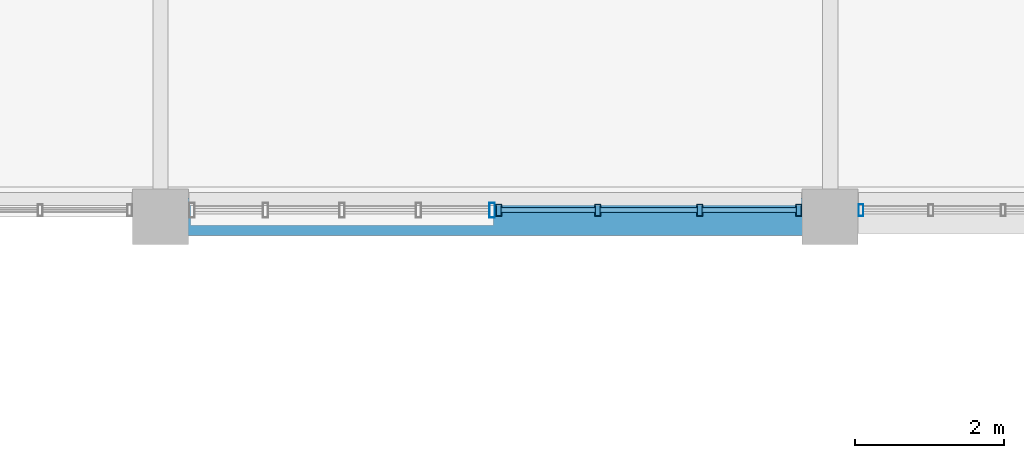
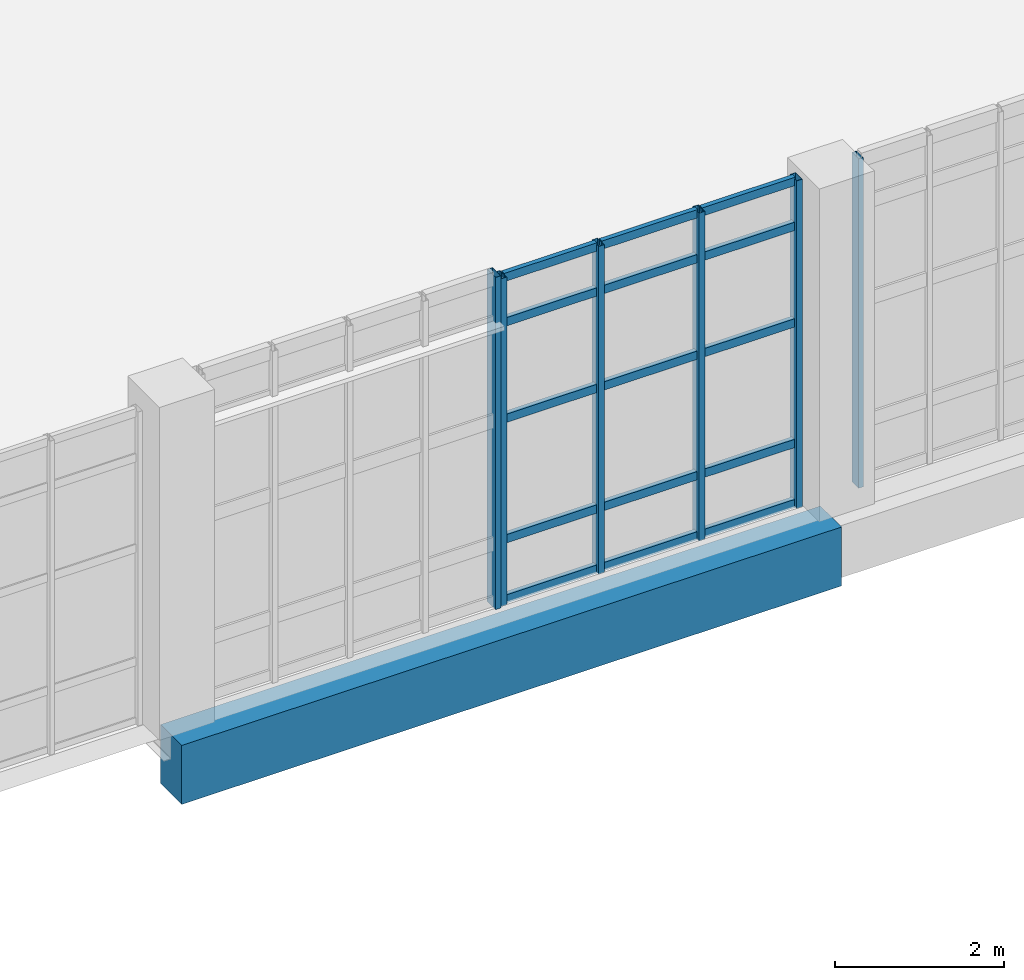
# One storey, part 58 of 127: 21 members, 1 beam, 3 elements without a shape of their own.
"""IFC4 building model written with IfcOpenShell, lengths in metres."""

from ifc_helpers import new_model, si_unit, derived_unit, direction, frame, origin, origin_2d, place, context, subcontext, project, spatial, rectangle, hollow_rectangle, extrude, material, layer, layer_set, material_profile, profile_set, type_object, element, aggregate, save


model = new_model("IFC4")

# Units and contexts
model_context = context("Model", 3, precision=1e-05, world=origin(), true_north=direction((0.0, 1.0)))
body_context = subcontext(model_context, "Body", "Model", "MODEL_VIEW")
ifc_project = project(units=[si_unit("LENGTHUNIT", "METRE"), si_unit("AREAUNIT", "SQUARE_METRE"), si_unit("VOLUMEUNIT", "CUBIC_METRE"), si_unit("PLANEANGLEUNIT", "RADIAN"), si_unit("MASSUNIT", "GRAM", prefix="KILO"), derived_unit("THERMALTRANSMITTANCEUNIT", [(si_unit("POWERUNIT", "WATT"), 1), (si_unit("LENGTHUNIT", "METRE"), -2), (si_unit("THERMODYNAMICTEMPERATUREUNIT", "KELVIN"), -1)])], contexts=[model_context])

# Site, building, storey
site_placement = place(None, origin())
site = spatial("IfcSite", under=ifc_project, at=site_placement, CompositionType="ELEMENT")
building_placement = place(site_placement, origin())
building = spatial("IfcBuilding", under=site, at=building_placement, Name="Nallur Shell Playhouse", CompositionType="ELEMENT")
storey_placement = place(building_placement, frame((0.0, 0.0, 5.39990234375)))
storey = spatial("IfcBuildingStorey", under=building, at=storey_placement, Name="L02", CompositionType="ELEMENT", Elevation=5.39990234375)

# Beam
ifc_material_1 = material(Name="Concrete M40", Category="concrete")
ifc_material_profile_1 = material_profile(ifc_material_1, rectangle(XDim=0.5, YDim=0.85009765625, at=origin_2d()), Name="RC 500x850")
ifc_profile_set_1 = profile_set([ifc_material_profile_1], Name="Concrete M40")
beam_type = type_object("IfcBeamType", Name="BM-RC-500x850", PredefinedType="BEAM", material=ifc_profile_set_1)
beam_placement = place(storey_placement, frame((126.39990234375, 24.0, -0.704833984375), z_axis=(1.0, 0.0, 0.0), x_axis=(0.0, 1.0, 0.0)))
element("IfcBeam", 1, at=beam_placement, inside=storey, type_object=beam_type, Name="L02 girder X-C-333", PredefinedType="BEAM", context=body_context, shape_type="SweptSolid", body=[
    extrude(rectangle(XDim=0.5, YDim=0.85009765625, at=origin_2d()), origin(), (0.0, 0.0, 1.0), 9.0),
])

# Curtain wall, members
ifc_material_2 = material(Name="Anodised Aluminium Double-Glazed Facade System", Category="aluminium")
ifc_layer_1 = layer(ifc_material_2, 0.172119140625)
ifc_layer_set_1 = layer_set([ifc_layer_1], Name="Anodised Aluminium Double-Glazed Facade System")
curtain_wall_type_1 = type_object("IfcCurtainWallType", Name="CW-UNIT-15", PredefinedType="NOTDEFINED", material=ifc_layer_set_1)
curtain_wall_1_placement = place(storey_placement, origin())
curtain_wall_1 = element("IfcCurtainWall", 2, at=curtain_wall_1_placement, inside=storey, type_object=curtain_wall_type_1, Name="Unitised curtain wall CW-047 (L02)", PredefinedType="NOTDEFINED")
ifc_material_3 = material(Name="Aluminium Alloy 6063-T6 Mullion", Category="aluminium")
ifc_material_profile_2 = material_profile(ifc_material_3, hollow_rectangle(XDim=0.080078125, YDim=0.159912109375, WallThickness=0.006103515625, at=origin_2d()), Name="RHS 160x80x6")
ifc_profile_set_2 = profile_set([ifc_material_profile_2], Name="Aluminium Alloy 6063-T6 Mullion")
member_type_1 = type_object("IfcMemberType", Name="MB-CW-MUL150", PredefinedType="MULLION", material=ifc_profile_set_2)
member_1_placement = place(storey_placement, frame((134.97705078125, 24.090087890625, -0.014892578125), z_axis=(0.0, 0.0, 1.0), x_axis=(-1.0, 0.0, 0.0)))
member_1 = element("IfcMember", 3, at=member_1_placement, type_object=member_type_1, Name="CW-15 mullion 1", PredefinedType="MULLION", context=body_context, shape_type="SweptSolid", body=[
    extrude(hollow_rectangle(XDim=0.080078125, YDim=0.159912109375, WallThickness=0.006103515625, at=origin_2d()), origin(), (0.0, 0.0, 1.0), 4.72900390625),
])
member_2_placement = place(storey_placement, frame((133.646240234375, 24.090087890625, -0.014892578125), z_axis=(0.0, 0.0, 1.0), x_axis=(-1.0, 0.0, 0.0)))
member_2 = element("IfcMember", 4, at=member_2_placement, type_object=member_type_1, Name="CW-15 mullion 2", PredefinedType="MULLION", context=body_context, shape_type="SweptSolid", body=[
    extrude(hollow_rectangle(XDim=0.080078125, YDim=0.159912109375, WallThickness=0.006103515625, at=origin_2d()), origin(), (0.0, 0.0, 1.0), 4.72900390625),
])
member_3_placement = place(storey_placement, frame((132.275634765625, 24.090087890625, -0.014892578125), z_axis=(0.0, 0.0, 1.0), x_axis=(-1.0, 0.0, 0.0)))
member_3 = element("IfcMember", 5, at=member_3_placement, type_object=member_type_1, Name="CW-15 mullion 3", PredefinedType="MULLION", context=body_context, shape_type="SweptSolid", body=[
    extrude(hollow_rectangle(XDim=0.080078125, YDim=0.159912109375, WallThickness=0.006103515625, at=origin_2d()), origin(), (0.0, 0.0, 1.0), 4.72900390625),
])
member_4_placement = place(storey_placement, frame((130.945068359375, 24.090087890625, -0.014892578125), z_axis=(0.0, 0.0, 1.0), x_axis=(-1.0, 0.0, 0.0)))
member_4 = element("IfcMember", 6, at=member_4_placement, type_object=member_type_1, Name="CW-15 mullion 4", PredefinedType="MULLION", context=body_context, shape_type="SweptSolid", body=[
    extrude(hollow_rectangle(XDim=0.080078125, YDim=0.159912109375, WallThickness=0.006103515625, at=origin_2d()), origin(), (0.0, 0.0, 1.0), 4.72900390625),
])

# Curtain wall, member
ifc_layer_2 = layer(ifc_material_2, 0.16796875)
ifc_layer_set_2 = layer_set([ifc_layer_2], Name="Anodised Aluminium Double-Glazed Facade System")
curtain_wall_type_2 = type_object("IfcCurtainWallType", Name="CW-UNIT-14", PredefinedType="NOTDEFINED", material=ifc_layer_set_2)
curtain_wall_2_placement = place(storey_placement, origin())
curtain_wall_2 = element("IfcCurtainWall", 7, at=curtain_wall_2_placement, inside=storey, type_object=curtain_wall_type_2, Name="Unitised curtain wall CW-046 (L02)", PredefinedType="NOTDEFINED")
ifc_material_profile_3 = material_profile(ifc_material_3, hollow_rectangle(XDim=0.06494140625, YDim=0.159912109375, WallThickness=0.00390625, at=origin_2d()), Name="ALU 65x160x4")
ifc_profile_set_3 = profile_set([ifc_material_profile_3], Name="Aluminium Alloy 6063-T6 Mullion")
member_type_2 = type_object("IfcMemberType", Name="MB-CW-MUL160", PredefinedType="MULLION", material=ifc_profile_set_3)
member_5_placement = place(storey_placement, frame((135.8154296875, 24.090087890625, -0.014892578125), z_axis=(0.0, 0.0, 1.0), x_axis=(-1.0, 0.0, 0.0)))
member_5 = element("IfcMember", 8, at=member_5_placement, type_object=member_type_2, Name="CW-14 mullion 4", PredefinedType="MULLION", context=body_context, shape_type="SweptSolid", body=[
    extrude(hollow_rectangle(XDim=0.06494140625, YDim=0.159912109375, WallThickness=0.00390625, at=origin_2d()), origin(), (0.0, 0.0, 1.0), 4.7490234375),
])
aggregate(curtain_wall_2, [member_5])

ifc_layer_3 = layer(ifc_material_2, 0.176025390625)
ifc_layer_set_3 = layer_set([ifc_layer_3], Name="Anodised Aluminium Double-Glazed Facade System")
curtain_wall_type_3 = type_object("IfcCurtainWallType", Name="CW-UNIT-16", PredefinedType="NOTDEFINED", material=ifc_layer_set_3)
curtain_wall_3_placement = place(storey_placement, origin())
curtain_wall_3 = element("IfcCurtainWall", 9, at=curtain_wall_3_placement, inside=storey, type_object=curtain_wall_type_3, Name="Unitised curtain wall CW-048 (L02)", PredefinedType="NOTDEFINED")
ifc_material_profile_4 = material_profile(ifc_material_3, hollow_rectangle(XDim=0.074951171875, YDim=0.199951171875, WallThickness=0.0048828125, at=origin_2d()), Name="ALU 75x200x5")
ifc_profile_set_4 = profile_set([ifc_material_profile_4], Name="Aluminium Alloy 6063-T6 Mullion")
member_type_3 = type_object("IfcMemberType", Name="MB-CW-MUL180", PredefinedType="MULLION", material=ifc_profile_set_4)
member_6_placement = place(storey_placement, frame((130.857421875, 24.090087890625, -0.014892578125), z_axis=(0.0, 0.0, 1.0), x_axis=(-1.0, 0.0, 0.0)))
member_6 = element("IfcMember", 10, at=member_6_placement, type_object=member_type_3, Name="CW-16 mullion 1", PredefinedType="MULLION", context=body_context, shape_type="SweptSolid", body=[
    extrude(hollow_rectangle(XDim=0.074951171875, YDim=0.199951171875, WallThickness=0.0048828125, at=origin_2d()), origin(), (0.0, 0.0, 1.0), 4.7890625),
])
aggregate(curtain_wall_3, [member_6])

# Member
ifc_material_4 = material(Name="Aluminium Alloy 6063-T6 Transom", Category="aluminium")
ifc_material_profile_5 = material_profile(ifc_material_4, hollow_rectangle(XDim=0.06494140625, YDim=0.1201171875, WallThickness=0.00390625, at=origin_2d()), Name="ALU 65x120x4")
ifc_profile_set_5 = profile_set([ifc_material_profile_5], Name="Aluminium Alloy 6063-T6 Transom")
member_type_4 = type_object("IfcMemberType", Name="MB-CW-TRN120", PredefinedType="USERDEFINED", material=ifc_profile_set_5)
member_7_placement = place(storey_placement, frame((134.945068359375, 24.090087890625, 0.03271484375), z_axis=(-1.0, 0.0, 0.0), x_axis=(0.0, -1.0, 0.0)))
member_7 = element("IfcMember", 11, at=member_7_placement, type_object=member_type_4, Name="CW-15 transom 1.1", ObjectType="TRANSOM", PredefinedType="USERDEFINED", context=body_context, shape_type="SweptSolid", body=[
    extrude(hollow_rectangle(XDim=0.06494140625, YDim=0.1201171875, WallThickness=0.00390625, at=origin_2d()), origin(), (0.0, 0.0, 1.0), 1.266845703125),
])

member_8_placement = place(storey_placement, frame((134.945068359375, 24.090087890625, 0.900146484375), z_axis=(-1.0, 0.0, 0.0), x_axis=(0.0, -1.0, 0.0)))
member_8 = element("IfcMember", 12, at=member_8_placement, type_object=member_type_4, Name="CW-15 transom 1.2", ObjectType="TRANSOM", PredefinedType="USERDEFINED", context=body_context, shape_type="SweptSolid", body=[
    extrude(hollow_rectangle(XDim=0.06494140625, YDim=0.1201171875, WallThickness=0.00390625, at=origin_2d()), origin(), (0.0, 0.0, 1.0), 1.266845703125),
])

member_9_placement = place(storey_placement, frame((134.945068359375, 24.090087890625, 2.63818359375), z_axis=(-1.0, 0.0, 0.0), x_axis=(0.0, -1.0, 0.0)))
member_9 = element("IfcMember", 13, at=member_9_placement, type_object=member_type_4, Name="CW-15 transom 1.3", ObjectType="TRANSOM", PredefinedType="USERDEFINED", context=body_context, shape_type="SweptSolid", body=[
    extrude(hollow_rectangle(XDim=0.06494140625, YDim=0.1201171875, WallThickness=0.00390625, at=origin_2d()), origin(), (0.0, 0.0, 1.0), 1.266845703125),
])

member_10_placement = place(storey_placement, frame((134.945068359375, 24.090087890625, 4.030029296875), z_axis=(-1.0, 0.0, 0.0), x_axis=(0.0, -1.0, 0.0)))
member_10 = element("IfcMember", 14, at=member_10_placement, type_object=member_type_4, Name="CW-15 transom 1.4", ObjectType="TRANSOM", PredefinedType="USERDEFINED", context=body_context, shape_type="SweptSolid", body=[
    extrude(hollow_rectangle(XDim=0.06494140625, YDim=0.1201171875, WallThickness=0.00390625, at=origin_2d()), origin(), (0.0, 0.0, 1.0), 1.266845703125),
])

member_11_placement = place(storey_placement, frame((134.945068359375, 24.090087890625, 4.677490234375), z_axis=(-1.0, 0.0, 0.0), x_axis=(0.0, -1.0, 0.0)))
member_11 = element("IfcMember", 15, at=member_11_placement, type_object=member_type_4, Name="CW-15 transom 1.5", ObjectType="TRANSOM", PredefinedType="USERDEFINED", context=body_context, shape_type="SweptSolid", body=[
    extrude(hollow_rectangle(XDim=0.06494140625, YDim=0.1201171875, WallThickness=0.00390625, at=origin_2d()), origin(), (0.0, 0.0, 1.0), 1.266845703125),
])

member_12_placement = place(storey_placement, frame((133.6142578125, 24.090087890625, 0.03271484375), z_axis=(-1.0, 0.0, 0.0), x_axis=(0.0, -1.0, 0.0)))
member_12 = element("IfcMember", 16, at=member_12_placement, type_object=member_type_4, Name="CW-15 transom 2.1", ObjectType="TRANSOM", PredefinedType="USERDEFINED", context=body_context, shape_type="SweptSolid", body=[
    extrude(hollow_rectangle(XDim=0.06494140625, YDim=0.1201171875, WallThickness=0.00390625, at=origin_2d()), origin(), (0.0, 0.0, 1.0), 1.306640625),
])

member_13_placement = place(storey_placement, frame((133.6142578125, 24.090087890625, 0.900146484375), z_axis=(-1.0, 0.0, 0.0), x_axis=(0.0, -1.0, 0.0)))
member_13 = element("IfcMember", 17, at=member_13_placement, type_object=member_type_4, Name="CW-15 transom 2.2", ObjectType="TRANSOM", PredefinedType="USERDEFINED", context=body_context, shape_type="SweptSolid", body=[
    extrude(hollow_rectangle(XDim=0.06494140625, YDim=0.1201171875, WallThickness=0.00390625, at=origin_2d()), origin(), (0.0, 0.0, 1.0), 1.306640625),
])

member_14_placement = place(storey_placement, frame((133.6142578125, 24.090087890625, 2.63818359375), z_axis=(-1.0, 0.0, 0.0), x_axis=(0.0, -1.0, 0.0)))
member_14 = element("IfcMember", 18, at=member_14_placement, type_object=member_type_4, Name="CW-15 transom 2.3", ObjectType="TRANSOM", PredefinedType="USERDEFINED", context=body_context, shape_type="SweptSolid", body=[
    extrude(hollow_rectangle(XDim=0.06494140625, YDim=0.1201171875, WallThickness=0.00390625, at=origin_2d()), origin(), (0.0, 0.0, 1.0), 1.306640625),
])

member_15_placement = place(storey_placement, frame((133.6142578125, 24.090087890625, 4.030029296875), z_axis=(-1.0, 0.0, 0.0), x_axis=(0.0, -1.0, 0.0)))
member_15 = element("IfcMember", 19, at=member_15_placement, type_object=member_type_4, Name="CW-15 transom 2.4", ObjectType="TRANSOM", PredefinedType="USERDEFINED", context=body_context, shape_type="SweptSolid", body=[
    extrude(hollow_rectangle(XDim=0.06494140625, YDim=0.1201171875, WallThickness=0.00390625, at=origin_2d()), origin(), (0.0, 0.0, 1.0), 1.306640625),
])

member_16_placement = place(storey_placement, frame((133.6142578125, 24.090087890625, 4.677490234375), z_axis=(-1.0, 0.0, 0.0), x_axis=(0.0, -1.0, 0.0)))
member_16 = element("IfcMember", 20, at=member_16_placement, type_object=member_type_4, Name="CW-15 transom 2.5", ObjectType="TRANSOM", PredefinedType="USERDEFINED", context=body_context, shape_type="SweptSolid", body=[
    extrude(hollow_rectangle(XDim=0.06494140625, YDim=0.1201171875, WallThickness=0.00390625, at=origin_2d()), origin(), (0.0, 0.0, 1.0), 1.306640625),
])

member_17_placement = place(storey_placement, frame((132.24365234375, 24.090087890625, 0.03271484375), z_axis=(-1.0, 0.0, 0.0), x_axis=(0.0, -1.0, 0.0)))
member_17 = element("IfcMember", 21, at=member_17_placement, type_object=member_type_4, Name="CW-15 transom 3.1", ObjectType="TRANSOM", PredefinedType="USERDEFINED", context=body_context, shape_type="SweptSolid", body=[
    extrude(hollow_rectangle(XDim=0.06494140625, YDim=0.1201171875, WallThickness=0.00390625, at=origin_2d()), origin(), (0.0, 0.0, 1.0), 1.2666015625),
])

member_18_placement = place(storey_placement, frame((132.24365234375, 24.090087890625, 0.900146484375), z_axis=(-1.0, 0.0, 0.0), x_axis=(0.0, -1.0, 0.0)))
member_18 = element("IfcMember", 22, at=member_18_placement, type_object=member_type_4, Name="CW-15 transom 3.2", ObjectType="TRANSOM", PredefinedType="USERDEFINED", context=body_context, shape_type="SweptSolid", body=[
    extrude(hollow_rectangle(XDim=0.06494140625, YDim=0.1201171875, WallThickness=0.00390625, at=origin_2d()), origin(), (0.0, 0.0, 1.0), 1.2666015625),
])

member_19_placement = place(storey_placement, frame((132.24365234375, 24.090087890625, 2.63818359375), z_axis=(-1.0, 0.0, 0.0), x_axis=(0.0, -1.0, 0.0)))
member_19 = element("IfcMember", 23, at=member_19_placement, type_object=member_type_4, Name="CW-15 transom 3.3", ObjectType="TRANSOM", PredefinedType="USERDEFINED", context=body_context, shape_type="SweptSolid", body=[
    extrude(hollow_rectangle(XDim=0.06494140625, YDim=0.1201171875, WallThickness=0.00390625, at=origin_2d()), origin(), (0.0, 0.0, 1.0), 1.2666015625),
])

member_20_placement = place(storey_placement, frame((132.24365234375, 24.090087890625, 4.030029296875), z_axis=(-1.0, 0.0, 0.0), x_axis=(0.0, -1.0, 0.0)))
member_20 = element("IfcMember", 24, at=member_20_placement, type_object=member_type_4, Name="CW-15 transom 3.4", ObjectType="TRANSOM", PredefinedType="USERDEFINED", context=body_context, shape_type="SweptSolid", body=[
    extrude(hollow_rectangle(XDim=0.06494140625, YDim=0.1201171875, WallThickness=0.00390625, at=origin_2d()), origin(), (0.0, 0.0, 1.0), 1.2666015625),
])

member_21_placement = place(storey_placement, frame((132.24365234375, 24.090087890625, 4.677490234375), z_axis=(-1.0, 0.0, 0.0), x_axis=(0.0, -1.0, 0.0)))
member_21 = element("IfcMember", 25, at=member_21_placement, type_object=member_type_4, Name="CW-15 transom 3.5", ObjectType="TRANSOM", PredefinedType="USERDEFINED", context=body_context, shape_type="SweptSolid", body=[
    extrude(hollow_rectangle(XDim=0.06494140625, YDim=0.1201171875, WallThickness=0.00390625, at=origin_2d()), origin(), (0.0, 0.0, 1.0), 1.2666015625),
])

aggregate(curtain_wall_1, [member_1, member_2, member_3, member_4, member_7, member_8, member_9, member_10, member_11, member_12, member_13, member_14, member_15, member_16, member_17, member_18, member_19, member_20, member_21])

save(model, "model.ifc")
